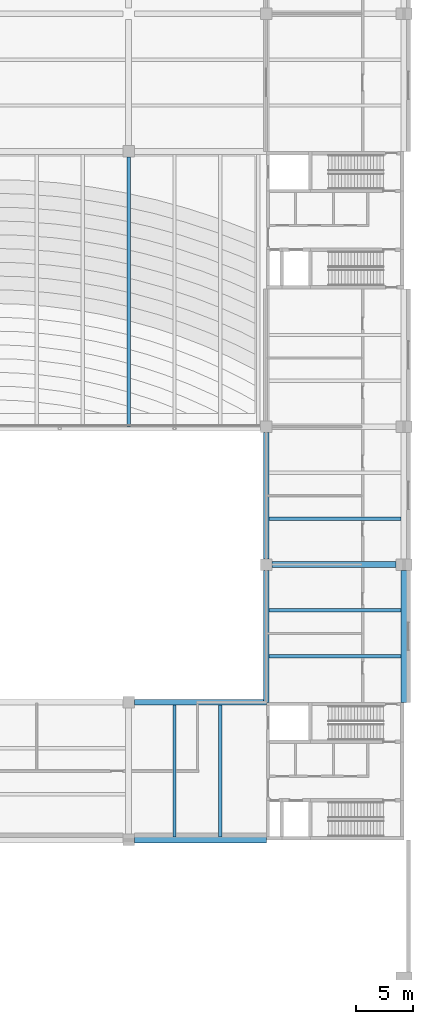
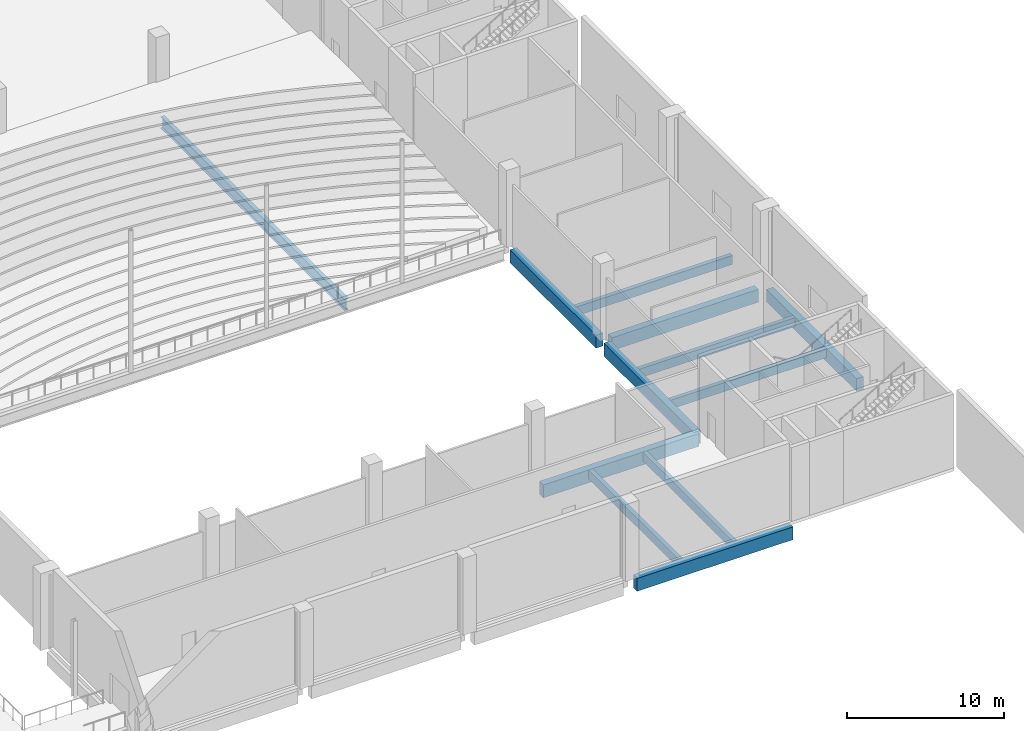
# One storey, part 24 of 72: 12 beams.
"""IFC4 building model written with IfcOpenShell, lengths in metres."""

from ifc_helpers import new_model, si_unit, direction, frame, origin, origin_2d, place, context, subcontext, project, spatial, rectangle, i_section, extrude, material, material_profile, profile_set, type_object, element, save


model = new_model("IFC4")

# Units and contexts
model_context = context("Model", 3, precision=1e-05, world=origin(), true_north=direction((0.0, 1.0)))
body_context = subcontext(model_context, "Body", "Model", "MODEL_VIEW")
ifc_project = project(units=[si_unit("LENGTHUNIT", "METRE"), si_unit("AREAUNIT", "SQUARE_METRE"), si_unit("VOLUMEUNIT", "CUBIC_METRE"), si_unit("PLANEANGLEUNIT", "RADIAN"), si_unit("MASSUNIT", "GRAM", prefix="KILO")], contexts=[model_context])

# Site, building, storey
site_placement = place(None, origin())
site = spatial("IfcSite", under=ifc_project, at=site_placement, CompositionType="ELEMENT")
building_placement = place(site_placement, origin())
building = spatial("IfcBuilding", under=site, at=building_placement, Name="Lilac Gate Convention Centre", CompositionType="ELEMENT")
storey_placement = place(building_placement, frame((0.0, 0.0, 6.0)))
storey = spatial("IfcBuildingStorey", under=building, at=storey_placement, Name="L01", CompositionType="ELEMENT", Elevation=6.0)

# Beams
ifc_material_1 = material(Name="Steel Q355B", Category="steel")
ifc_material_profile_1 = material_profile(ifc_material_1, i_section(OverallWidth=0.300048828125, OverallDepth=0.89990234375, WebThickness=0.01611328125, FlangeThickness=0.028076171875, FilletRadius=0.01806640625, at=origin_2d()), Name="HN900x300x16x28")
ifc_profile_set_1 = profile_set([ifc_material_profile_1], Name="Steel Q355B")
beam_type_1 = type_object("IfcBeamType", Name="Balcony beam HN900x300x16x28", PredefinedType="BEAM", material=ifc_profile_set_1)
beam_1_placement = place(storey_placement, frame((66.0, 138.0, -0.699951171875), z_axis=(0.0, 1.0, 0.0), x_axis=(-1.0, 0.0, 0.0)))
element("IfcBeam", 1, at=beam_1_placement, inside=storey, type_object=beam_type_1, Name="BB1 L01 balcony beam 10", PredefinedType="BEAM", context=body_context, shape_type="SweptSolid", body=[
    extrude(i_section(OverallWidth=0.300048828125, OverallDepth=0.89990234375, WebThickness=0.01611328125, FlangeThickness=0.028076171875, FilletRadius=0.01806640625, at=origin_2d()), origin(), (0.0, 0.0, 1.0), 23.5),
])
ifc_material_2 = material(Name="Concrete C40", Category="concrete")
ifc_material_profile_2 = material_profile(ifc_material_2, rectangle(XDim=0.5, YDim=1.0, at=origin_2d()), Name="RC 500x1000")
ifc_profile_set_2 = profile_set([ifc_material_profile_2], Name="Concrete C40")
beam_type_2 = type_object("IfcBeamType", Name="Primary beam 500x1000 C40", PredefinedType="BEAM", material=ifc_profile_set_2)
for number, where, z_axis, x_axis, name in (
    (2, (66.5, 102.0, -0.75), (1.0, 0.0, 0.0), (0.0, 1.0, 0.0), "RB1 L01 6/G-7/G"),
    (3, (66.5, 114.0, -0.75), (1.0, 0.0, 0.0), (0.0, 1.0, 0.0), "RB1 L01 6/H-7/H"),
):
    element("IfcBeam", number, at=place(storey_placement, frame(where, z_axis=z_axis, x_axis=x_axis)), inside=storey, type_object=beam_type_2, Name=name, PredefinedType="BEAM", context=body_context, shape_type="SweptSolid", body=[
        extrude(rectangle(XDim=0.5, YDim=1.0, at=origin_2d()), origin(), (0.0, 0.0, 1.0), 11.5),
    ])
beam_2_placement = place(storey_placement, frame((78.5, 126.0, -0.75), z_axis=(1.0, 0.0, 0.0), x_axis=(0.0, 1.0, 0.0)))
element("IfcBeam", 4, at=beam_2_placement, inside=storey, type_object=beam_type_2, Name="RB1 L01 7/J-8/J", PredefinedType="BEAM", context=body_context, shape_type="SweptSolid", body=[
    extrude(rectangle(XDim=0.5, YDim=1.0, at=origin_2d()), origin(), (0.0, 0.0, 1.0), 10.800048828125),
])
beam_3_placement = place(storey_placement, frame((78.0, 114.0, -0.75), z_axis=(0.0, 1.0, 0.0), x_axis=(-1.0, 0.0, 0.0)))
element("IfcBeam", 5, at=beam_3_placement, inside=storey, type_object=beam_type_2, Name="RB1 L01 7/H-7/J", PredefinedType="BEAM", context=body_context, shape_type="SweptSolid", body=[
    extrude(rectangle(XDim=0.5, YDim=1.0, at=origin_2d()), origin(), (0.0, 0.0, 1.0), 11.5),
])
beam_4_placement = place(storey_placement, frame((78.0, 126.5, -0.75), z_axis=(0.0, 1.0, 0.0), x_axis=(-1.0, 0.0, 0.0)))
element("IfcBeam", 6, at=beam_4_placement, inside=storey, type_object=beam_type_2, Name="RB1 L01 7/J-7/K", PredefinedType="BEAM", context=body_context, shape_type="SweptSolid", body=[
    extrude(rectangle(XDim=0.5, YDim=1.0, at=origin_2d()), origin(), (0.0, 0.0, 1.0), 11.0),
])
beam_5_placement = place(storey_placement, frame((90.0, 114.0, -0.75), z_axis=(0.0, 1.0, 0.0), x_axis=(-1.0, 0.0, 0.0)))
element("IfcBeam", 7, at=beam_5_placement, inside=storey, type_object=beam_type_2, Name="RB1 L01 8/H-8/J", PredefinedType="BEAM", context=body_context, shape_type="SweptSolid", body=[
    extrude(rectangle(XDim=0.5, YDim=1.0, at=origin_2d()), origin(), (0.0, 0.0, 1.0), 11.5),
])
ifc_material_profile_3 = material_profile(ifc_material_2, rectangle(XDim=0.300048828125, YDim=0.699951171875, at=origin_2d()), Name="RC 300x700")
ifc_profile_set_3 = profile_set([ifc_material_profile_3], Name="Concrete C40")
beam_type_3 = type_object("IfcBeamType", Name="Secondary beam 300x700 C40", PredefinedType="BEAM", material=ifc_profile_set_3)
for number, where, z_axis, x_axis, name in (
    (8, (70.0, 102.25, -0.60009765625), (0.0, 1.0, 0.0), (-1.0, 0.0, 0.0), "RB2 L01 bay 6/G"),
    (9, (74.0, 102.25, -0.60009765625), (0.0, 1.0, 0.0), (-1.0, 0.0, 0.0), "RB2 L01 bay 6/G"),
    (10, (78.25, 118.0, -0.60009765625), (1.0, 0.0, 0.0), (0.0, 1.0, 0.0), "RB2 L01 bay 7/H"),
    (11, (78.25, 122.0, -0.60009765625), (1.0, 0.0, 0.0), (0.0, 1.0, 0.0), "RB2 L01 bay 7/H"),
    (12, (78.25, 130.0, -0.60009765625), (1.0, 0.0, 0.0), (0.0, 1.0, 0.0), "RB2 L01 bay 7/J"),
):
    element("IfcBeam", number, at=place(storey_placement, frame(where, z_axis=z_axis, x_axis=x_axis)), inside=storey, type_object=beam_type_3, Name=name, PredefinedType="BEAM", context=body_context, shape_type="SweptSolid", body=[
        extrude(rectangle(XDim=0.300048828125, YDim=0.699951171875, at=origin_2d()), origin(), (0.0, 0.0, 1.0), 11.5),
    ])

save(model, "model.ifc")
